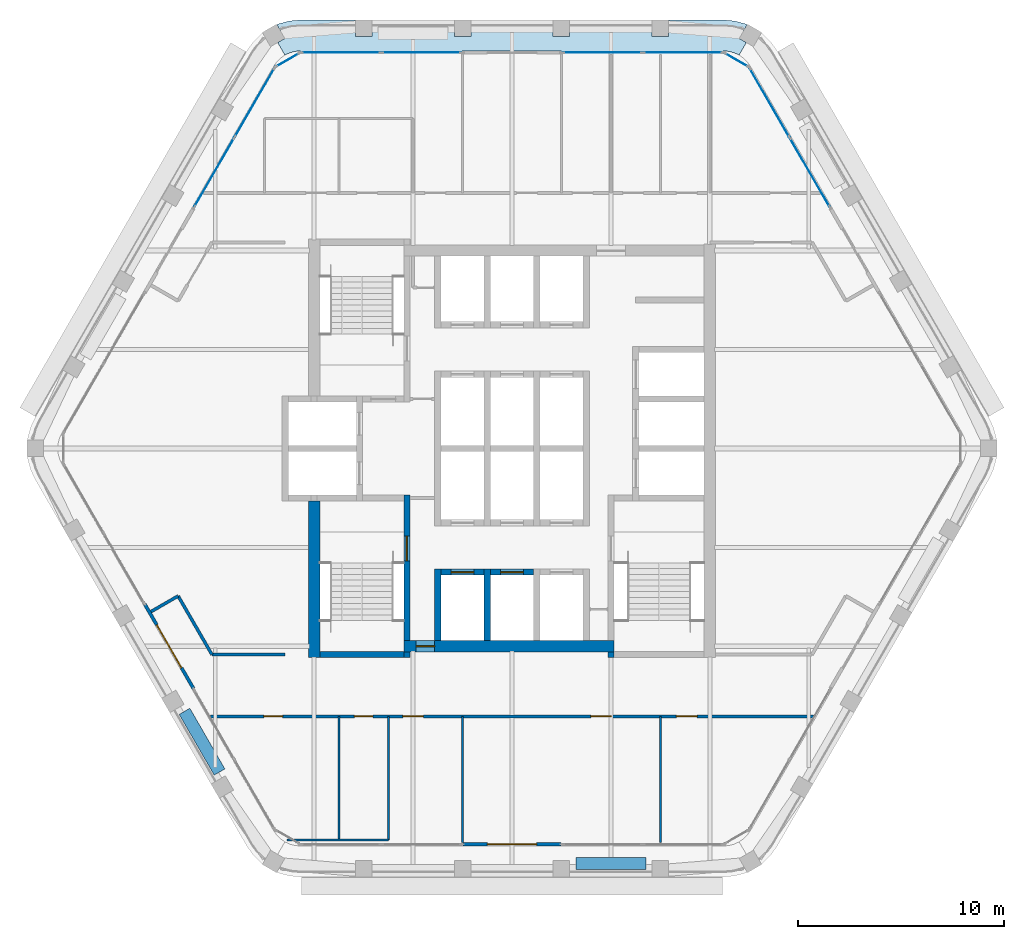
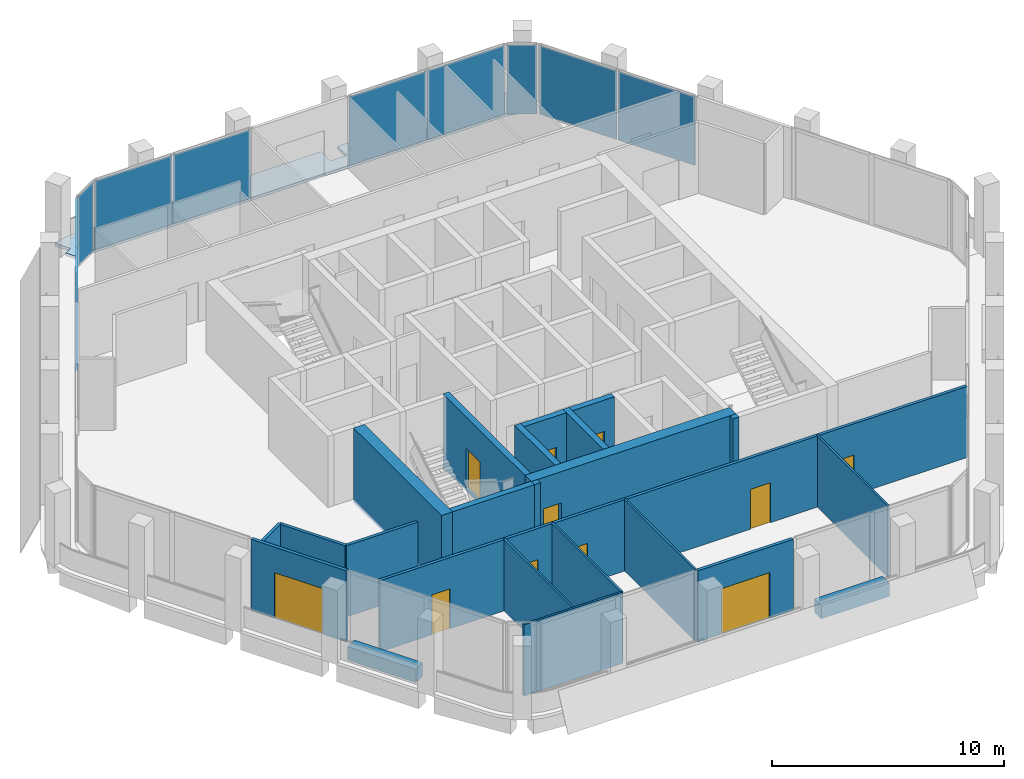
# One storey, part 7 of 13: 23 walls, 11 doors, 10 plates, 1 slab, 11 openings, 6 elements without a shape of their own.
"""IFC4 building model written with IfcOpenShell, lengths in metres."""

from ifc_helpers import new_model, si_unit, direction, frame, frame_2d, origin, origin_2d, place, context, subcontext, project, spatial, polyline, rectangle, outline, extrude, material, layer, layer_set, type_object, element, fill, aggregate, save


model = new_model("IFC4")

# Units and contexts
model_context = context("Model", 3, precision=1e-05, world=origin(), true_north=direction((0.0, 1.0)))
body_context = subcontext(model_context, "Body", "Model", "MODEL_VIEW")
ifc_project = project(units=[si_unit("LENGTHUNIT", "METRE"), si_unit("AREAUNIT", "SQUARE_METRE"), si_unit("VOLUMEUNIT", "CUBIC_METRE"), si_unit("PLANEANGLEUNIT", "RADIAN"), si_unit("MASSUNIT", "GRAM", prefix="KILO")], contexts=[model_context])

# Site, building, storey
site_placement = place(None, origin())
site = spatial("IfcSite", under=ifc_project, at=site_placement, CompositionType="ELEMENT")
building_placement = place(site_placement, origin())
building = spatial("IfcBuilding", under=site, at=building_placement, Name="Kolab Exchange Tower", CompositionType="ELEMENT")
storey_placement = place(building_placement, frame((0.0, 0.0, 230.60009765625)))
storey = spatial("IfcBuildingStorey", under=building, at=storey_placement, Name="L50", CompositionType="ELEMENT", Elevation=230.60009765625)

# Slab
ifc_material_1 = material(Name="Concrete C35/45", Category="concrete")
ifc_layer_1 = layer(ifc_material_1, 0.14990234375)
ifc_layer_set_1 = layer_set([ifc_layer_1], Name="Concrete C35/45")
slab_type = type_object("IfcSlabType", Name="LOGGIA SLAB 150", PredefinedType="FLOOR", material=ifc_layer_set_1)
slab_placement = place(storey_placement, frame((0.0, 0.0, -0.150146484375)))
element("IfcSlab", 1, at=slab_placement, inside=storey, type_object=slab_type, Name="slab/L50/loggia/0-0", PredefinedType="FLOOR", context=body_context, shape_type="SweptSolid", body=[
    extrude(outline(polyline([(11.01806640625, 19.083740234375), (11.367919921875, 19.68994140625), (11.021484375, 19.889892578125), (11.404052734375, 20.552490234375), (11.2939453125, 20.603759765625), (10.788818359375, 20.739013671875), (10.26806640625, 20.78466796875), (7.60009765625, 20.78466796875), (7.60009765625, 19.984619140625), (6.800048828125, 19.984619140625), (6.800048828125, 20.78466796875), (2.800048828125, 20.78466796875), (2.800048828125, 19.984619140625), (2.0, 19.984619140625), (2.0, 20.78466796875), (-2.0, 20.78466796875), (-2.0, 19.984619140625), (-2.800048828125, 19.984619140625), (-2.800048828125, 20.78466796875), (-6.800048828125, 20.78466796875), (-6.800048828125, 19.984619140625), (-7.60009765625, 19.984619140625), (-7.60009765625, 20.78466796875), (-10.26806640625, 20.78466796875), (-10.788818359375, 20.739013671875), (-11.2939453125, 20.603759765625), (-11.404052734375, 20.552490234375), (-11.021484375, 19.889892578125), (-11.367919921875, 19.68994140625), (-11.01806640625, 19.083740234375), (-10.781005859375, 19.194091796875), (-10.5283203125, 19.26171875), (-10.26806640625, 19.28466796875), (10.26806640625, 19.28466796875), (10.5283203125, 19.26171875), (10.781005859375, 19.194091796875), (11.01806640625, 19.083740234375)])), origin(), (0.0, 0.0, 1.0), 0.150146484375),
])

# Curtain wall, plates
ifc_material_2 = material(Name="Aluminium EN AW-6063 T6", Category="aluminium")
curtain_wall_type = type_object("IfcCurtainWallType", Name="UNITISED HIGH ZONE CURTAIN WALL", PredefinedType="NOTDEFINED", material=ifc_material_2)
curtain_wall_1_placement = place(storey_placement, origin())
curtain_wall_1 = element("IfcCurtainWall", 2, at=curtain_wall_1_placement, inside=storey, type_object=curtain_wall_type, Name="cw/L50/F1-1", PredefinedType="NOTDEFINED")
ifc_material_3 = material(Name="Clear insulated glazing unit", Category="glass")
ifc_layer_2 = layer(ifc_material_3, 0.030029296875)
ifc_layer_set_2 = layer_set([ifc_layer_2], Name="Clear insulated glazing unit")
plate_type = type_object("IfcPlateType", Name="UNITISED HIGH ZONE GLASS PANEL 30", PredefinedType="CURTAIN_PANEL", material=ifc_layer_set_2)
plate_1_placement = place(storey_placement, frame((-8.285888671875, 19.20458984375, 0.06005859375), z_axis=(0.0, 0.0, 1.0), x_axis=(1.0, 0.0, 0.0)))
plate_1 = element("IfcPlate", 3, at=plate_1_placement, type_object=plate_type, Name="CW4 panel 1.1", PredefinedType="CURTAIN_PANEL", context=body_context, shape_type="SweptSolid", body=[
    extrude(rectangle(XDim=3.843994140625, YDim=0.030029296875, at=origin_2d()), origin(), (0.0, 0.0, 1.0), 3.6298828125),
])
plate_2_placement = place(storey_placement, frame((-4.382080078125, 19.20458984375, 0.06005859375), z_axis=(0.0, 0.0, 1.0), x_axis=(1.0, 0.0, 0.0)))
plate_2 = element("IfcPlate", 4, at=plate_2_placement, type_object=plate_type, Name="CW4 panel 2.1", PredefinedType="CURTAIN_PANEL", context=body_context, shape_type="SweptSolid", body=[
    extrude(rectangle(XDim=3.843994140625, YDim=0.030029296875, at=origin_2d()), origin(), (0.0, 0.0, 1.0), 3.6298828125),
])
aggregate(curtain_wall_1, [plate_1, plate_2])

curtain_wall_2_placement = place(storey_placement, origin())
curtain_wall_2 = element("IfcCurtainWall", 5, at=curtain_wall_2_placement, inside=storey, type_object=curtain_wall_type, Name="cw/L50/F1-2", PredefinedType="NOTDEFINED")
plate_3_placement = place(storey_placement, frame((4.382080078125, 19.20458984375, 0.06005859375), z_axis=(0.0, 0.0, 1.0), x_axis=(1.0, 0.0, 0.0)))
plate_3 = element("IfcPlate", 6, at=plate_3_placement, type_object=plate_type, Name="CW4 panel 1.1", PredefinedType="CURTAIN_PANEL", context=body_context, shape_type="SweptSolid", body=[
    extrude(rectangle(XDim=3.843994140625, YDim=0.030029296875, at=origin_2d()), origin(), (0.0, 0.0, 1.0), 3.6298828125),
])
plate_4_placement = place(storey_placement, frame((8.285888671875, 19.20458984375, 0.06005859375), z_axis=(0.0, 0.0, 1.0), x_axis=(1.0, 0.0, 0.0)))
plate_4 = element("IfcPlate", 7, at=plate_4_placement, type_object=plate_type, Name="CW4 panel 2.1", PredefinedType="CURTAIN_PANEL", context=body_context, shape_type="SweptSolid", body=[
    extrude(rectangle(XDim=3.843994140625, YDim=0.030029296875, at=origin_2d()), origin(), (0.0, 0.0, 1.0), 3.6298828125),
])
aggregate(curtain_wall_2, [plate_3, plate_4])

curtain_wall_3_placement = place(storey_placement, origin())
curtain_wall_3 = element("IfcCurtainWall", 8, at=curtain_wall_3_placement, inside=storey, type_object=curtain_wall_type, Name="cw/L50/F2-1", PredefinedType="NOTDEFINED")
plate_5_placement = place(storey_placement, frame((12.48876953125, 16.778076171875, 0.06005859375), z_axis=(0.0, 0.0, 1.0), x_axis=(0.500000031681, -0.866025385493, 0.0)))
plate_5 = element("IfcPlate", 9, at=plate_5_placement, type_object=plate_type, Name="CW4 panel 1.1", PredefinedType="CURTAIN_PANEL", context=body_context, shape_type="SweptSolid", body=[
    extrude(rectangle(XDim=3.843994140625, YDim=0.030029296875, at=origin_2d()), origin(), (0.0, 0.0, 1.0), 3.6298828125),
])
plate_6_placement = place(storey_placement, frame((14.440673828125, 13.397216796875, 0.06005859375), z_axis=(0.0, 0.0, 1.0), x_axis=(0.500000031681, -0.866025385493, 0.0)))
plate_6 = element("IfcPlate", 10, at=plate_6_placement, type_object=plate_type, Name="CW4 panel 2.1", PredefinedType="CURTAIN_PANEL", context=body_context, shape_type="SweptSolid", body=[
    extrude(rectangle(XDim=3.843994140625, YDim=0.030029296875, at=origin_2d()), origin(), (0.0, 0.0, 1.0), 3.6298828125),
])
aggregate(curtain_wall_3, [plate_5, plate_6])

curtain_wall_4_placement = place(storey_placement, origin())
curtain_wall_4 = element("IfcCurtainWall", 11, at=curtain_wall_4_placement, inside=storey, type_object=curtain_wall_type, Name="cw/L50/F6-2", PredefinedType="NOTDEFINED")
plate_7_placement = place(storey_placement, frame((-14.440673828125, 13.397216796875, 0.06005859375), z_axis=(0.0, 0.0, 1.0), x_axis=(0.500000031681, 0.866025385493, 0.0)))
plate_7 = element("IfcPlate", 12, at=plate_7_placement, type_object=plate_type, Name="CW4 panel 1.1", PredefinedType="CURTAIN_PANEL", context=body_context, shape_type="SweptSolid", body=[
    extrude(rectangle(XDim=3.843994140625, YDim=0.030029296875, at=origin_2d()), origin(), (0.0, 0.0, 1.0), 3.6298828125),
])
plate_8_placement = place(storey_placement, frame((-12.48876953125, 16.778076171875, 0.06005859375), z_axis=(0.0, 0.0, 1.0), x_axis=(0.500000031681, 0.866025385493, 0.0)))
plate_8 = element("IfcPlate", 13, at=plate_8_placement, type_object=plate_type, Name="CW4 panel 2.1", PredefinedType="CURTAIN_PANEL", context=body_context, shape_type="SweptSolid", body=[
    extrude(rectangle(XDim=3.843994140625, YDim=0.030029296875, at=origin_2d()), origin(), (0.0, 0.0, 1.0), 3.6298828125),
])
aggregate(curtain_wall_4, [plate_7, plate_8])

# Curtain wall, plate
curtain_wall_5_placement = place(storey_placement, origin())
curtain_wall_5 = element("IfcCurtainWall", 14, at=curtain_wall_5_placement, inside=storey, type_object=curtain_wall_type, Name="cw/L50/F1F2-corner", PredefinedType="NOTDEFINED")
plate_9_placement = place(storey_placement, frame((10.8828125, 18.849609375, 0.06005859375), z_axis=(0.0, 0.0, 1.0), x_axis=(0.866025390869, -0.50000002237, 0.0)))
plate_9 = element("IfcPlate", 15, at=plate_9_placement, type_object=plate_type, Name="CW4 panel 1.1", PredefinedType="CURTAIN_PANEL", context=body_context, shape_type="SweptSolid", body=[
    extrude(rectangle(XDim=1.300048828125, YDim=0.030029296875, at=origin_2d()), origin(), (0.0, 0.0, 1.0), 3.6298828125),
])
aggregate(curtain_wall_5, [plate_9])

curtain_wall_6_placement = place(storey_placement, origin())
curtain_wall_6 = element("IfcCurtainWall", 16, at=curtain_wall_6_placement, inside=storey, type_object=curtain_wall_type, Name="cw/L50/F6F1-corner", PredefinedType="NOTDEFINED")
plate_10_placement = place(storey_placement, frame((-10.8828125, 18.849609375, 0.06005859375), z_axis=(0.0, 0.0, 1.0), x_axis=(0.866025390869, 0.50000002237, 0.0)))
plate_10 = element("IfcPlate", 17, at=plate_10_placement, type_object=plate_type, Name="CW4 panel 1.1", PredefinedType="CURTAIN_PANEL", context=body_context, shape_type="SweptSolid", body=[
    extrude(rectangle(XDim=1.300048828125, YDim=0.030029296875, at=origin_2d()), origin(), (0.0, 0.0, 1.0), 3.6298828125),
])
aggregate(curtain_wall_6, [plate_10])

# Wall, opening, door
ifc_material_4 = material(Name="Concrete C50/60", Category="concrete")
ifc_layer_3 = layer(ifc_material_4, 0.550048828125)
ifc_layer_set_3 = layer_set([ifc_layer_3], Name="Concrete C50/60")
wall_type_1 = type_object("IfcWallType", Name="CORE WALL 550 C50/60", PredefinedType="SHEAR", material=ifc_layer_set_3)
wall_1_placement = place(storey_placement, frame((-5.25, -9.60009765625, -0.150146484375), z_axis=(0.0, 0.0, 1.0), x_axis=(1.0, 0.0, 0.0)))
wall_1 = element("IfcWall", 18, at=wall_1_placement, inside=storey, type_object=wall_type_1, Name="wall/L50/core/002", PredefinedType="SHEAR", context=body_context, shape_type="SweptSolid", body=[
    extrude(rectangle(XDim=10.199951171875, YDim=0.550048828125, at=frame_2d((5.10009765625, 0.0))), origin(), (0.0, 0.0, 1.0), 3.900146484375),
])
opening_1_placement = place(wall_1_placement, frame((0.60009765625, 0.0, 0.14990234375)))
opening_1 = element("IfcOpeningElement", 19, at=opening_1_placement, cuts=wall_1, Name="Opening D6-297", PredefinedType="OPENING", context=body_context, shape_type="SweptSolid", body=[
    extrude(rectangle(XDim=0.89990234375, YDim=2.10009765625, at=frame_2d((0.449951171875, 1.050048828125))), frame((0.0, 0.28515625, 0.0), z_axis=(0.0, -1.0, 0.0), x_axis=(1.0, 0.0, 0.0)), (0.0, 0.0, 1.0), 0.570068359375),
])
ifc_material_5 = material(Name="Steel S235", Category="steel")
door_type_1 = type_object("IfcDoorType", Name="CORE DOOR 900 EI 120", OperationType="SINGLE_SWING_LEFT", PredefinedType="DOOR", material=ifc_material_5)
door_1_placement = place(opening_1_placement, origin())
door_1 = element("IfcDoor", 20, at=door_1_placement, inside=storey, type_object=door_type_1, Name="Core lobby door", OperationType="SINGLE_SWING_RIGHT", OverallHeight=2.10009765625, OverallWidth=0.89990234375, PredefinedType="DOOR", context=body_context, shape_type="SweptSolid", body=[
    extrude(rectangle(XDim=0.89990234375, YDim=2.10009765625, at=frame_2d((0.449951171875, 1.050048828125))), frame((0.0, 0.02490234375, 0.0), z_axis=(0.0, -1.0, 0.0), x_axis=(1.0, 0.0, 0.0)), (0.0, 0.0, 1.0), 0.050048828125),
])
fill(opening_1, door_1)

# Wall
wall_2_placement = place(storey_placement, frame((-9.60009765625, -10.14990234375, -0.150146484375), z_axis=(0.0, 0.0, 1.0), x_axis=(0.0, 1.0, 0.0)))
element("IfcWall", 21, at=wall_2_placement, inside=storey, type_object=wall_type_1, Name="wall/L50/core/034", PredefinedType="SHEAR", context=body_context, shape_type="SweptSolid", body=[
    extrude(rectangle(XDim=7.599853515625, YDim=0.550048828125, at=frame_2d((3.7998046875, 0.0))), origin(), (0.0, 0.0, 1.0), 3.900146484375),
])

# Wall, opening, door
ifc_layer_4 = layer(ifc_material_2, 0.159912109375)
ifc_layer_set_4 = layer_set([ifc_layer_4], Name="Aluminium EN AW-6063 T6")
wall_type_2 = type_object("IfcWallType", Name="DOOR SURROUND WALL 160 ALUMINIUM FRAMED", PredefinedType="PARTITIONING", material=ifc_layer_set_4)
wall_3_placement = place(storey_placement, frame((2.3701171875, -19.20458984375, 0.0), z_axis=(0.0, 0.0, 1.0), x_axis=(-1.0, 0.0, 0.0)))
wall_3 = element("IfcWall", 22, at=wall_3_placement, inside=storey, type_object=wall_type_2, Name="Door surround wall", PredefinedType="PARTITIONING", context=body_context, shape_type="SweptSolid", body=[
    extrude(rectangle(XDim=4.740234375, YDim=0.159912109375, at=frame_2d((2.3701171875, 0.0))), origin(), (0.0, 0.0, 1.0), 3.75),
])
opening_2_placement = place(wall_3_placement, frame((1.169921875, 0.0, 0.0)))
opening_2 = element("IfcOpeningElement", 23, at=opening_2_placement, cuts=wall_3, Name="Opening GD1-092", PredefinedType="OPENING", context=body_context, shape_type="SweptSolid", body=[
    extrude(rectangle(XDim=2.39990234375, YDim=2.39990234375, at=frame_2d((1.199951171875, 1.199951171875))), frame((0.0, 0.08984375, 0.0), z_axis=(0.0, -1.0, 0.0), x_axis=(1.0, 0.0, 0.0)), (0.0, 0.0, 1.0), 0.179931640625),
])
door_type_2 = type_object("IfcDoorType", Name="LOGGIA SLIDING GLASS DOOR 2400 X 2400", OperationType="DOUBLE_DOOR_SINGLE_SWING", PredefinedType="DOOR", material=ifc_material_2)
door_2_placement = place(opening_2_placement, origin())
door_2 = element("IfcDoor", 24, at=door_2_placement, inside=storey, type_object=door_type_2, Name="Loggia door", OperationType="DOUBLE_DOOR_SLIDING", OverallHeight=2.39990234375, OverallWidth=2.39990234375, PredefinedType="DOOR", context=body_context, shape_type="SweptSolid", body=[
    extrude(rectangle(XDim=2.39990234375, YDim=2.39990234375, at=frame_2d((1.199951171875, 1.199951171875))), frame((0.0, 0.02490234375, 0.0), z_axis=(0.0, -1.0, 0.0), x_axis=(1.0, 0.0, 0.0)), (0.0, 0.0, 1.0), 0.050048828125),
])
fill(opening_2, door_2)

wall_4_placement = place(storey_placement, frame((-15.44677734375, -11.65478515625, 0.0), z_axis=(0.0, 0.0, 1.0), x_axis=(-0.499978080042, 0.866038058908, 0.0)))
wall_4 = element("IfcWall", 25, at=wall_4_placement, inside=storey, type_object=wall_type_2, Name="Door surround wall", PredefinedType="PARTITIONING", context=body_context, shape_type="SweptSolid", body=[
    extrude(rectangle(XDim=4.739990234375, YDim=0.159912109375, at=frame_2d((2.3701171875, 0.0))), origin(), (0.0, 0.0, 1.0), 3.75),
])
opening_3_placement = place(wall_4_placement, frame((1.169921875, 0.0, 0.0)))
opening_3 = element("IfcOpeningElement", 26, at=opening_3_placement, cuts=wall_4, Name="Opening GD1-093", PredefinedType="OPENING", context=body_context, shape_type="SweptSolid", body=[
    extrude(rectangle(XDim=2.39990234375, YDim=2.39990234375, at=frame_2d((1.199951171875, 1.199951171875))), frame((0.0, 0.08984375, 0.0), z_axis=(0.0, -1.0, 0.0), x_axis=(1.0, 0.0, 0.0)), (0.0, 0.0, 1.0), 0.179931640625),
])
door_3_placement = place(opening_3_placement, origin())
door_3 = element("IfcDoor", 27, at=door_3_placement, inside=storey, type_object=door_type_2, Name="Loggia door", OperationType="DOUBLE_DOOR_SLIDING", OverallHeight=2.39990234375, OverallWidth=2.39990234375, PredefinedType="DOOR", context=body_context, shape_type="SweptSolid", body=[
    extrude(rectangle(XDim=2.39990234375, YDim=2.39990234375, at=frame_2d((1.199951171875, 1.199951171875))), frame((0.0, 0.02490234375, 0.0), z_axis=(0.0, -1.0, 0.0), x_axis=(1.0, 0.0, 0.0)), (0.0, 0.0, 1.0), 0.050048828125),
])
fill(opening_3, door_3)

ifc_layer_5 = layer(ifc_material_4, 0.300048828125)
ifc_layer_set_5 = layer_set([ifc_layer_5], Name="Concrete C50/60")
wall_type_3 = type_object("IfcWallType", Name="LIFT SHAFT WALL 300 C50/60", PredefinedType="STANDARD", material=ifc_layer_set_5)
wall_5_placement = place(storey_placement, frame((-3.449951171875, -6.0, -0.150146484375), z_axis=(0.0, 0.0, 1.0), x_axis=(1.0, 0.0, 0.0)))
wall_5 = element("IfcWall", 28, at=wall_5_placement, inside=storey, type_object=wall_type_3, Name="wall/L50/core/003", PredefinedType="STANDARD", context=body_context, shape_type="SweptSolid", body=[
    extrude(rectangle(XDim=2.099853515625, YDim=0.300048828125, at=frame_2d((1.0498046875, 0.0))), origin(), (0.0, 0.0, 1.0), 3.900146484375),
])
opening_4_placement = place(wall_5_placement, frame((0.5, 0.0, 0.14990234375)))
opening_4 = element("IfcOpeningElement", 29, at=opening_4_placement, cuts=wall_5, Name="Opening LD1-110", PredefinedType="OPENING", context=body_context, shape_type="SweptSolid", body=[
    extrude(rectangle(XDim=1.10009765625, YDim=2.10009765625, at=frame_2d((0.550048828125, 1.050048828125))), frame((0.0, 0.16015625, 0.0), z_axis=(0.0, -1.0, 0.0), x_axis=(1.0, 0.0, 0.0)), (0.0, 0.0, 1.0), 0.320068359375),
])
ifc_material_6 = material(Name="Stainless steel 316", Category="steel")
door_type_3 = type_object("IfcDoorType", Name="LANDING DOOR 1100 PASSENGER", OperationType="DOUBLE_DOOR_SLIDING", PredefinedType="DOOR", material=ifc_material_6)
door_4_placement = place(opening_4_placement, origin())
door_4 = element("IfcDoor", 30, at=door_4_placement, inside=storey, type_object=door_type_3, Name="Landing door HR10", OperationType="DOUBLE_DOOR_SLIDING", OverallHeight=2.10009765625, OverallWidth=1.10009765625, PredefinedType="DOOR", context=body_context, shape_type="SweptSolid", body=[
    extrude(rectangle(XDim=1.10009765625, YDim=2.10009765625, at=frame_2d((0.550048828125, 1.050048828125))), frame((0.0, 0.02490234375, 0.0), z_axis=(0.0, -1.0, 0.0), x_axis=(1.0, 0.0, 0.0)), (0.0, 0.0, 1.0), 0.050048828125),
])
fill(opening_4, door_4)

wall_6_placement = place(storey_placement, frame((-1.050048828125, -6.0, -0.150146484375), z_axis=(0.0, 0.0, 1.0), x_axis=(1.0, 0.0, 0.0)))
wall_6 = element("IfcWall", 31, at=wall_6_placement, inside=storey, type_object=wall_type_3, Name="wall/L50/core/004", PredefinedType="STANDARD", context=body_context, shape_type="SweptSolid", body=[
    extrude(rectangle(XDim=2.10009765625, YDim=0.300048828125, at=frame_2d((1.050048828125, 0.0))), origin(), (0.0, 0.0, 1.0), 3.900146484375),
])
opening_5_placement = place(wall_6_placement, frame((0.5, 0.0, 0.14990234375)))
opening_5 = element("IfcOpeningElement", 32, at=opening_5_placement, cuts=wall_6, Name="Opening LD1-111", PredefinedType="OPENING", context=body_context, shape_type="SweptSolid", body=[
    extrude(rectangle(XDim=1.10009765625, YDim=2.10009765625, at=frame_2d((0.550048828125, 1.050048828125))), frame((0.0, 0.16015625, 0.0), z_axis=(0.0, -1.0, 0.0), x_axis=(1.0, 0.0, 0.0)), (0.0, 0.0, 1.0), 0.320068359375),
])
door_5_placement = place(opening_5_placement, origin())
door_5 = element("IfcDoor", 33, at=door_5_placement, inside=storey, type_object=door_type_3, Name="Landing door HR11", OperationType="DOUBLE_DOOR_SLIDING", OverallHeight=2.10009765625, OverallWidth=1.10009765625, PredefinedType="DOOR", context=body_context, shape_type="SweptSolid", body=[
    extrude(rectangle(XDim=1.10009765625, YDim=2.10009765625, at=frame_2d((0.550048828125, 1.050048828125))), frame((0.0, 0.02490234375, 0.0), z_axis=(0.0, -1.0, 0.0), x_axis=(1.0, 0.0, 0.0)), (0.0, 0.0, 1.0), 0.050048828125),
])
fill(opening_5, door_5)

# Walls
for number, where, z_axis, x_axis, name in (
    (34, (-3.60009765625, -9.324951171875, -0.150146484375), (0.0, 0.0, 1.0), (0.0, 1.0, 0.0), "wall/L50/core/043"),
    (35, (-1.199951171875, -9.324951171875, -0.150146484375), (0.0, 0.0, 1.0), (0.0, 1.0, 0.0), "wall/L50/core/046"),
):
    element("IfcWall", number, at=place(storey_placement, frame(where, z_axis=z_axis, x_axis=x_axis)), inside=storey, type_object=wall_type_3, Name=name, PredefinedType="STANDARD", context=body_context, shape_type="SweptSolid", body=[
        extrude(rectangle(XDim=3.474853515625, YDim=0.300048828125, at=frame_2d((1.7373046875, 0.0))), origin(), (0.0, 0.0, 1.0), 3.900146484375),
    ])
ifc_material_7 = material(Name="Gypsum board", Category="gypsum")
ifc_layer_6 = layer(ifc_material_7, 0.10009765625)
ifc_layer_set_6 = layer_set([ifc_layer_6], Name="Gypsum board")
wall_type_4 = type_object("IfcWallType", Name="PARTITION 100", PredefinedType="PARTITIONING", material=ifc_layer_set_6)
wall_7_placement = place(storey_placement, frame((7.199951171875, -19.114501953125, 0.0), z_axis=(0.0, 0.0, 1.0), x_axis=(0.0, 1.0, 0.0)))
element("IfcWall", 36, at=wall_7_placement, inside=storey, type_object=wall_type_4, Name="Partition 001", PredefinedType="PARTITIONING", context=body_context, shape_type="SweptSolid", body=[
    extrude(rectangle(XDim=6.114501953125, YDim=0.10009765625, at=frame_2d((3.05712890625, 0.0))), origin(), (0.0, 0.0, 1.0), 3.75),
])
wall_8_placement = place(storey_placement, frame((-2.39990234375, -19.12451171875, 0.0), z_axis=(0.0, 0.0, 1.0), x_axis=(0.0, 1.0, 0.0)))
element("IfcWall", 37, at=wall_8_placement, inside=storey, type_object=wall_type_4, Name="Partition 005", PredefinedType="PARTITIONING", context=body_context, shape_type="SweptSolid", body=[
    extrude(rectangle(XDim=6.12451171875, YDim=0.10009765625, at=frame_2d((3.062255859375, 0.0))), origin(), (0.0, 0.0, 1.0), 3.75),
])
for number, where, z_axis, x_axis, name in (
    (38, (-6.0, -19.0, 0.0), (0.0, 0.0, 1.0), (0.0, 1.0, 0.0), "Partition 009"),
    (39, (-8.39990234375, -19.0, 0.0), (0.0, 0.0, 1.0), (0.0, 1.0, 0.0), "Partition 010"),
):
    element("IfcWall", number, at=place(storey_placement, frame(where, z_axis=z_axis, x_axis=x_axis)), inside=storey, type_object=wall_type_4, Name=name, PredefinedType="PARTITIONING", context=body_context, shape_type="SweptSolid", body=[
        extrude(rectangle(XDim=6.0, YDim=0.10009765625, at=frame_2d((3.0, 0.0))), origin(), (0.0, 0.0, 1.0), 3.75),
    ])
wall_9_placement = place(storey_placement, frame((-10.913330078125, -19.0, 0.0), z_axis=(0.0, 0.0, 1.0), x_axis=(1.0, 0.0, 0.0)))
element("IfcWall", 40, at=wall_9_placement, inside=storey, type_object=wall_type_4, Name="Partition 021", PredefinedType="PARTITIONING", context=body_context, shape_type="SweptSolid", body=[
    extrude(rectangle(XDim=4.913330078125, YDim=0.10009765625, at=frame_2d((2.45654296875, 0.0))), origin(), (0.0, 0.0, 1.0), 3.75),
])
ifc_layer_7 = layer(ifc_material_7, 0.14990234375)
ifc_layer_set_7 = layer_set([ifc_layer_7], Name="Gypsum board")
wall_type_5 = type_object("IfcWallType", Name="PARTITION 150 FIRE-RATED", PredefinedType="PARTITIONING", material=ifc_layer_set_7)
wall_10_placement = place(storey_placement, frame((-16.196044921875, -7.15673828125, 0.0), z_axis=(0.0, 0.0, 1.0), x_axis=(0.499954196102, -0.866051847062, 0.0)))
element("IfcWall", 41, at=wall_10_placement, inside=storey, type_object=wall_type_5, Name="Partition 013", PredefinedType="PARTITIONING", context=body_context, shape_type="SweptSolid", body=[
    extrude(rectangle(XDim=3.282958984375, YDim=0.14990234375, at=frame_2d((1.6416015625, 0.0))), origin(), (0.0, 0.0, 1.0), 3.75),
])
wall_11_placement = place(storey_placement, frame((-17.512451171875, -7.9169921875, 0.0), z_axis=(0.0, 0.0, 1.0), x_axis=(0.865960906633, 0.500111695708, 0.0)))
element("IfcWall", 42, at=wall_11_placement, inside=storey, type_object=wall_type_5, Name="Partition 020", PredefinedType="PARTITIONING", context=body_context, shape_type="SweptSolid", body=[
    extrude(rectangle(XDim=1.520263671875, YDim=0.14990234375, at=frame_2d((0.76025390625, 0.0))), origin(), (0.0, 0.0, 1.0), 3.75),
])

# Wall, openings, doors
wall_12_placement = place(storey_placement, frame((-14.623779296875, -13.0, 0.0), z_axis=(0.0, 0.0, 1.0), x_axis=(1.0, 0.0, 0.0)))
wall_12 = element("IfcWall", 43, at=wall_12_placement, inside=storey, type_object=wall_type_5, Name="Partition 022", PredefinedType="PARTITIONING", context=body_context, shape_type="SweptSolid", body=[
    extrude(rectangle(XDim=29.24755859375, YDim=0.14990234375, at=frame_2d((14.623779296875, 0.0))), origin(), (0.0, 0.0, 1.0), 3.75),
])
opening_6_placement = place(wall_12_placement, frame((2.592529296875, 0.0, 0.0)))
opening_6 = element("IfcOpeningElement", 44, at=opening_6_placement, cuts=wall_12, Name="Opening D3-074", PredefinedType="OPENING", context=body_context, shape_type="SweptSolid", body=[
    extrude(rectangle(XDim=0.89990234375, YDim=2.10009765625, at=frame_2d((0.449951171875, 1.050048828125))), frame((0.0, 0.0849609375, 0.0), z_axis=(0.0, -1.0, 0.0), x_axis=(1.0, 0.0, 0.0)), (0.0, 0.0, 1.0), 0.169921875),
])
opening_7_placement = place(wall_12_placement, frame((6.973876953125, 0.0, 0.0)))
opening_7 = element("IfcOpeningElement", 45, at=opening_7_placement, cuts=wall_12, Name="Opening D3-075", PredefinedType="OPENING", context=body_context, shape_type="SweptSolid", body=[
    extrude(rectangle(XDim=0.89990234375, YDim=2.10009765625, at=frame_2d((0.449951171875, 1.050048828125))), frame((0.0, 0.0849609375, 0.0), z_axis=(0.0, -1.0, 0.0), x_axis=(1.0, 0.0, 0.0)), (0.0, 0.0, 1.0), 0.169921875),
])
opening_8_placement = place(wall_12_placement, frame((9.328857421875, 0.0, 0.0)))
opening_8 = element("IfcOpeningElement", 46, at=opening_8_placement, cuts=wall_12, Name="Opening D1-651", PredefinedType="OPENING", context=body_context, shape_type="SweptSolid", body=[
    extrude(rectangle(XDim=1.0, YDim=2.10009765625, at=frame_2d((0.5, 1.050048828125))), frame((0.0, 0.0849609375, 0.0), z_axis=(0.0, -1.0, 0.0), x_axis=(1.0, 0.0, 0.0)), (0.0, 0.0, 1.0), 0.169921875),
])
opening_9_placement = place(wall_12_placement, frame((18.44873046875, 0.0, 0.0)))
opening_9 = element("IfcOpeningElement", 47, at=opening_9_placement, cuts=wall_12, Name="Opening D1-652", PredefinedType="OPENING", context=body_context, shape_type="SweptSolid", body=[
    extrude(rectangle(XDim=1.0, YDim=2.10009765625, at=frame_2d((0.5, 1.050048828125))), frame((0.0, 0.0849609375, 0.0), z_axis=(0.0, -1.0, 0.0), x_axis=(1.0, 0.0, 0.0)), (0.0, 0.0, 1.0), 0.169921875),
])
opening_10_placement = place(wall_12_placement, frame((22.603759765625, 0.0, 0.0)))
opening_10 = element("IfcOpeningElement", 48, at=opening_10_placement, cuts=wall_12, Name="Opening D1-653", PredefinedType="OPENING", context=body_context, shape_type="SweptSolid", body=[
    extrude(rectangle(XDim=1.0, YDim=2.10009765625, at=frame_2d((0.5, 1.050048828125))), frame((0.0, 0.0849609375, 0.0), z_axis=(0.0, -1.0, 0.0), x_axis=(1.0, 0.0, 0.0)), (0.0, 0.0, 1.0), 0.169921875),
])
door_type_4 = type_object("IfcDoorType", Name="FLUSH DOOR 1000 FD60", OperationType="SINGLE_SWING_LEFT", PredefinedType="DOOR", material=ifc_material_5)
door_6_placement = place(opening_8_placement, frame((1.0, 0.0, 0.0), z_axis=(0.0, 0.0, 1.0), x_axis=(-1.0, 0.0, 0.0)))
door_6 = element("IfcDoor", 49, at=door_6_placement, inside=storey, type_object=door_type_4, Name="Door L50-039", OperationType="SINGLE_SWING_LEFT", OverallHeight=2.10009765625, OverallWidth=1.0, PredefinedType="DOOR", context=body_context, shape_type="SweptSolid", body=[
    extrude(rectangle(XDim=1.0, YDim=2.10009765625, at=frame_2d((0.5, 1.050048828125))), frame((0.0, 0.02490234375, 0.0), z_axis=(0.0, -1.0, 0.0), x_axis=(1.0, 0.0, 0.0)), (0.0, 0.0, 1.0), 0.050048828125),
])
fill(opening_8, door_6)
door_7_placement = place(opening_9_placement, frame((1.0, 0.0, 0.0), z_axis=(0.0, 0.0, 1.0), x_axis=(-1.0, 0.0, 0.0)))
door_7 = element("IfcDoor", 50, at=door_7_placement, inside=storey, type_object=door_type_4, Name="Door L50-040", OperationType="SINGLE_SWING_RIGHT", OverallHeight=2.10009765625, OverallWidth=1.0, PredefinedType="DOOR", context=body_context, shape_type="SweptSolid", body=[
    extrude(rectangle(XDim=1.0, YDim=2.10009765625, at=frame_2d((0.5, 1.050048828125))), frame((0.0, 0.02490234375, 0.0), z_axis=(0.0, -1.0, 0.0), x_axis=(1.0, 0.0, 0.0)), (0.0, 0.0, 1.0), 0.050048828125),
])
fill(opening_9, door_7)
door_8_placement = place(opening_10_placement, frame((1.0, 0.0, 0.0), z_axis=(0.0, 0.0, 1.0), x_axis=(-1.0, 0.0, 0.0)))
door_8 = element("IfcDoor", 51, at=door_8_placement, inside=storey, type_object=door_type_4, Name="Door L50-041", OperationType="SINGLE_SWING_LEFT", OverallHeight=2.10009765625, OverallWidth=1.0, PredefinedType="DOOR", context=body_context, shape_type="SweptSolid", body=[
    extrude(rectangle(XDim=1.0, YDim=2.10009765625, at=frame_2d((0.5, 1.050048828125))), frame((0.0, 0.02490234375, 0.0), z_axis=(0.0, -1.0, 0.0), x_axis=(1.0, 0.0, 0.0)), (0.0, 0.0, 1.0), 0.050048828125),
])
fill(opening_10, door_8)
door_type_5 = type_object("IfcDoorType", Name="FLUSH DOOR 900 FD60", OperationType="SINGLE_SWING_LEFT", PredefinedType="DOOR", material=ifc_material_5)
door_9_placement = place(opening_6_placement, frame((0.89990234375, 0.0, 0.0), z_axis=(0.0, 0.0, 1.0), x_axis=(-1.0, 0.0, 0.0)))
door_9 = element("IfcDoor", 52, at=door_9_placement, inside=storey, type_object=door_type_5, Name="Door L50-037", OperationType="SINGLE_SWING_LEFT", OverallHeight=2.10009765625, OverallWidth=0.89990234375, PredefinedType="DOOR", context=body_context, shape_type="SweptSolid", body=[
    extrude(rectangle(XDim=0.89990234375, YDim=2.10009765625, at=frame_2d((0.449951171875, 1.050048828125))), frame((0.0, 0.02490234375, 0.0), z_axis=(0.0, -1.0, 0.0), x_axis=(1.0, 0.0, 0.0)), (0.0, 0.0, 1.0), 0.050048828125),
])
fill(opening_6, door_9)
door_10_placement = place(opening_7_placement, frame((0.89990234375, 0.0, 0.0), z_axis=(0.0, 0.0, 1.0), x_axis=(-1.0, 0.0, 0.0)))
door_10 = element("IfcDoor", 53, at=door_10_placement, inside=storey, type_object=door_type_5, Name="Door L50-038", OperationType="SINGLE_SWING_RIGHT", OverallHeight=2.10009765625, OverallWidth=0.89990234375, PredefinedType="DOOR", context=body_context, shape_type="SweptSolid", body=[
    extrude(rectangle(XDim=0.89990234375, YDim=2.10009765625, at=frame_2d((0.449951171875, 1.050048828125))), frame((0.0, 0.02490234375, 0.0), z_axis=(0.0, -1.0, 0.0), x_axis=(1.0, 0.0, 0.0)), (0.0, 0.0, 1.0), 0.050048828125),
])
fill(opening_7, door_10)

# Walls
wall_13_placement = place(storey_placement, frame((-14.5546875, -10.0, 0.0), z_axis=(0.0, 0.0, 1.0), x_axis=(1.0, 0.0, 0.0)))
element("IfcWall", 54, at=wall_13_placement, inside=storey, type_object=wall_type_5, Name="Partition 023", PredefinedType="PARTITIONING", context=body_context, shape_type="SweptSolid", body=[
    extrude(rectangle(XDim=3.5546875, YDim=0.14990234375, at=frame_2d((1.77734375, 0.0))), origin(), (0.0, 0.0, 1.0), 3.75),
])
ifc_material_8 = material(Name="Granite facing", Category="masonry")
ifc_layer_8 = layer(ifc_material_8, 0.0400390625)
ifc_material_9 = material(Name="Concrete C40/50 precast", Category="concrete")
ifc_layer_9 = layer(ifc_material_9, 0.56005859375)
ifc_layer_set_8 = layer_set([ifc_layer_8, ifc_layer_9], Name="Concrete C40/50 precast")
wall_type_6 = type_object("IfcWallType", Name="PLANTER BOX 600 X 700 SOIL DEPTH 550", PredefinedType="USERDEFINED", material=ifc_layer_set_8)
wall_14_placement = place(storey_placement, frame((6.5, -20.134521484375, 0.0), z_axis=(0.0, 0.0, 1.0), x_axis=(-1.0, 0.0, 0.0)))
element("IfcWall", 55, at=wall_14_placement, inside=storey, type_object=wall_type_6, Name="Planter", ObjectType="PLANTER", PredefinedType="USERDEFINED", context=body_context, shape_type="SweptSolid", body=[
    extrude(rectangle(XDim=3.39990234375, YDim=0.60009765625, at=frame_2d((1.699951171875, 0.0))), origin(), (0.0, 0.0, 1.0), 0.699951171875),
])
wall_15_placement = place(storey_placement, frame((-14.18701171875, -15.696533203125, 0.0), z_axis=(0.0, 0.0, 1.0), x_axis=(-0.499977295307, 0.866038511948, 0.0)))
element("IfcWall", 56, at=wall_15_placement, inside=storey, type_object=wall_type_6, Name="Planter", ObjectType="PLANTER", PredefinedType="USERDEFINED", context=body_context, shape_type="SweptSolid", body=[
    extrude(rectangle(XDim=3.400146484375, YDim=0.60009765625, at=frame_2d((1.7001953125, 0.0))), origin(), (0.0, 0.0, 1.0), 0.699951171875),
])
ifc_layer_10 = layer(ifc_material_4, 0.300048828125)
ifc_layer_set_9 = layer_set([ifc_layer_10], Name="Concrete C50/60")
wall_type_7 = type_object("IfcWallType", Name="STAIR ENCLOSURE WALL 300 C50/60", PredefinedType="STANDARD", material=ifc_layer_set_9)
wall_16_placement = place(storey_placement, frame((-9.324951171875, -10.0, -0.150146484375), z_axis=(0.0, 0.0, 1.0), x_axis=(1.0, 0.0, 0.0)))
element("IfcWall", 57, at=wall_16_placement, inside=storey, type_object=wall_type_7, Name="wall/L50/core/000", PredefinedType="STANDARD", context=body_context, shape_type="SweptSolid", body=[
    extrude(rectangle(XDim=4.074951171875, YDim=0.300048828125, at=frame_2d((2.03759765625, 0.0))), origin(), (0.0, 0.0, 1.0), 3.900146484375),
])
wall_17_placement = place(storey_placement, frame((-5.10009765625, -10.14990234375, -0.150146484375), z_axis=(0.0, 0.0, 1.0), x_axis=(0.0, 1.0, 0.0)))
element("IfcWall", 58, at=wall_17_placement, inside=storey, type_object=wall_type_7, Name="wall/L50/core/039", PredefinedType="STANDARD", context=body_context, shape_type="SweptSolid", body=[
    extrude(rectangle(XDim=0.27490234375, YDim=0.300048828125, at=frame_2d((0.137451171875, 0.0))), origin(), (0.0, 0.0, 1.0), 3.900146484375),
])

# Wall, opening, door
wall_18_placement = place(storey_placement, frame((-5.10009765625, -9.324951171875, -0.150146484375), z_axis=(0.0, 0.0, 1.0), x_axis=(0.0, 1.0, 0.0)))
wall_18 = element("IfcWall", 59, at=wall_18_placement, inside=storey, type_object=wall_type_7, Name="wall/L50/core/040", PredefinedType="STANDARD", context=body_context, shape_type="SweptSolid", body=[
    extrude(rectangle(XDim=7.074951171875, YDim=0.300048828125, at=frame_2d((3.53759765625, 0.0))), origin(), (0.0, 0.0, 1.0), 3.900146484375),
])
opening_11_placement = place(wall_18_placement, frame((3.875, 0.0, 0.14990234375)))
opening_11 = element("IfcOpeningElement", 60, at=opening_11_placement, cuts=wall_18, Name="Opening D4-078", PredefinedType="OPENING", context=body_context, shape_type="SweptSolid", body=[
    extrude(rectangle(XDim=1.199951171875, YDim=2.10009765625, at=frame_2d((0.60009765625, 1.050048828125))), frame((0.0, 0.16015625, 0.0), z_axis=(0.0, -1.0, 0.0), x_axis=(1.0, 0.0, 0.0)), (0.0, 0.0, 1.0), 0.320068359375),
])
door_type_6 = type_object("IfcDoorType", Name="STAIR DOOR 1200 EI 120", OperationType="SINGLE_SWING_LEFT", PredefinedType="DOOR", material=ifc_material_5)
door_11_placement = place(opening_11_placement, origin())
door_11 = element("IfcDoor", 61, at=door_11_placement, inside=storey, type_object=door_type_6, Name="Stair 3 door", OperationType="SINGLE_SWING_RIGHT", OverallHeight=2.10009765625, OverallWidth=1.199951171875, PredefinedType="DOOR", context=body_context, shape_type="SweptSolid", body=[
    extrude(rectangle(XDim=1.199951171875, YDim=2.10009765625, at=frame_2d((0.60009765625, 1.050048828125))), frame((0.0, 0.02490234375, 0.0), z_axis=(0.0, -1.0, 0.0), x_axis=(1.0, 0.0, 0.0)), (0.0, 0.0, 1.0), 0.050048828125),
])
fill(opening_11, door_11)

# Wall
wall_19_placement = place(storey_placement, frame((4.800048828125, -10.14990234375, -0.150146484375), z_axis=(0.0, 0.0, 1.0), x_axis=(0.0, 1.0, 0.0)))
element("IfcWall", 62, at=wall_19_placement, inside=storey, type_object=wall_type_7, Name="wall/L50/core/055", PredefinedType="STANDARD", context=body_context, shape_type="SweptSolid", body=[
    extrude(rectangle(XDim=0.27490234375, YDim=0.300048828125, at=frame_2d((0.137451171875, 0.0))), origin(), (0.0, 0.0, 1.0), 3.900146484375),
])

save(model, "model.ifc")
